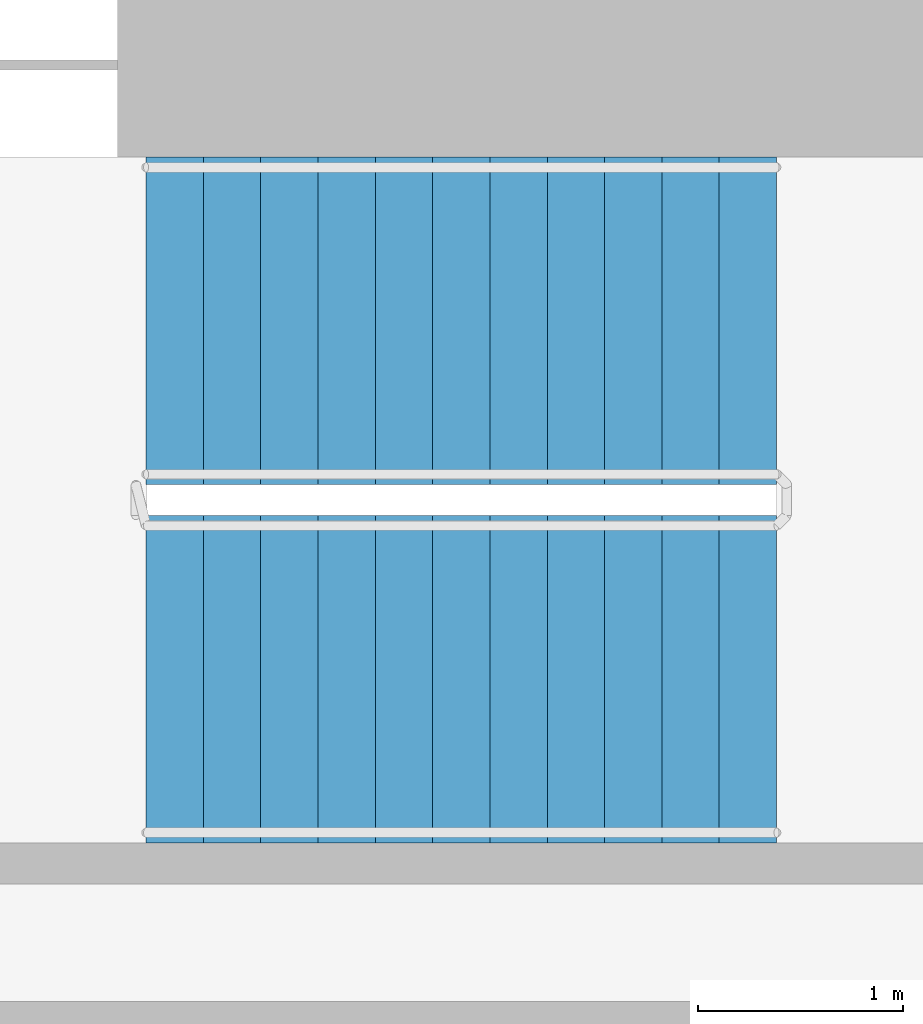
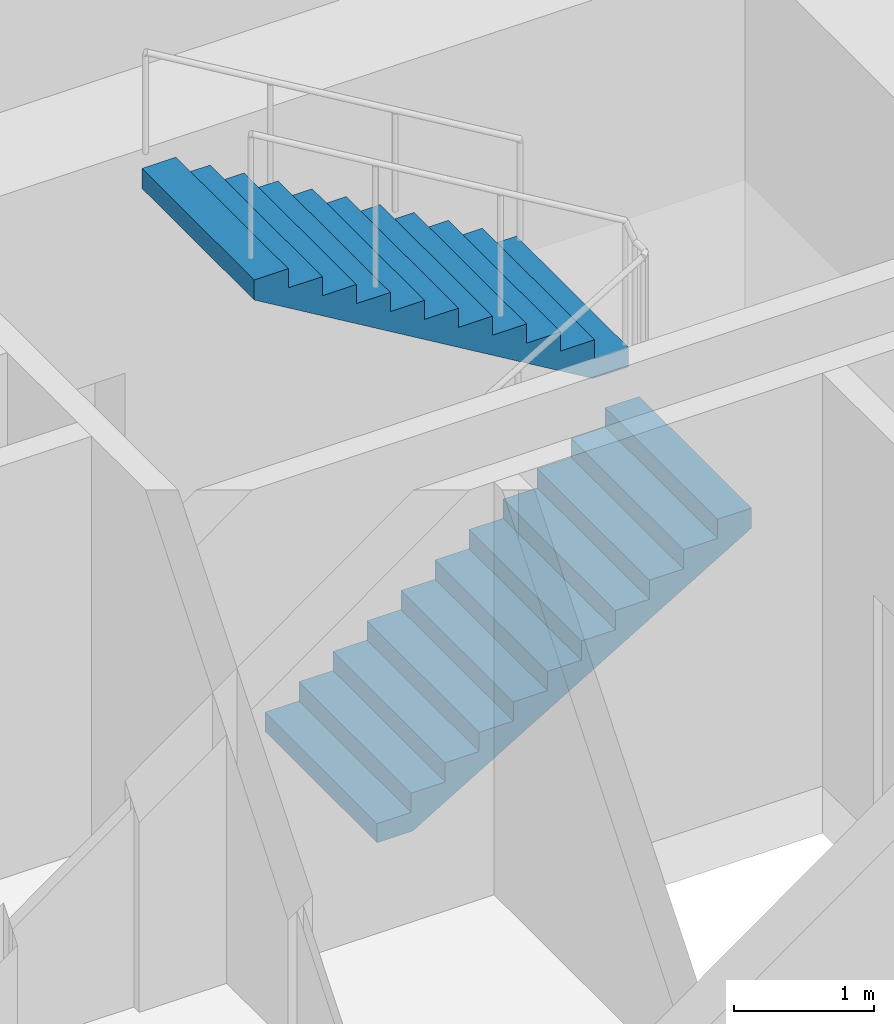
# One storey, part 31 of 34: 2 stair flights, 1 element without a shape of its own.
"""IFC4 building model written with IfcOpenShell, lengths in metres."""

from ifc_helpers import new_model, si_unit, direction, frame, origin, place, context, subcontext, project, spatial, polyline, outline, extrude, material, type_object, element, aggregate, save


model = new_model("IFC4")

# Units and contexts
model_context = context("Model", 3, precision=1e-05, world=origin(), true_north=direction((0.0, 1.0)))
body_context = subcontext(model_context, "Body", "Model", "MODEL_VIEW")
ifc_project = project(units=[si_unit("LENGTHUNIT", "METRE"), si_unit("AREAUNIT", "SQUARE_METRE"), si_unit("VOLUMEUNIT", "CUBIC_METRE"), si_unit("PLANEANGLEUNIT", "RADIAN"), si_unit("MASSUNIT", "GRAM", prefix="KILO")], contexts=[model_context])

# Site, building, storey
site_placement = place(None, origin())
site = spatial("IfcSite", under=ifc_project, at=site_placement, CompositionType="ELEMENT")
building_placement = place(site_placement, origin())
building = spatial("IfcBuilding", under=site, at=building_placement, Name="Orlundy Tower", CompositionType="ELEMENT")
storey_placement = place(building_placement, frame((0.0, 0.0, 98.199951171875)))
storey = spatial("IfcBuildingStorey", under=building, at=storey_placement, Name="L24", CompositionType="ELEMENT", Elevation=98.199951171875)

# Stair, stair flights
ifc_material_1 = material(Name="Concrete C50/60", Category="concrete")
stair_type = type_object("IfcStairType", Name="Exit Stair 24 risers", PredefinedType="HALF_TURN_STAIR", material=ifc_material_1)
stair_placement = place(storey_placement, origin())
stair = element("IfcStair", 1, at=stair_placement, inside=storey, type_object=stair_type, Name="L24 Exit Stair ST-E2", PredefinedType="HALF_TURN_STAIR")
ifc_material_2 = material(Name="Concrete C50/60", Category="concrete")
stair_flight_type = type_object("IfcStairFlightType", Name="Stair Flight 12 risers", PredefinedType="STRAIGHT", material=ifc_material_2)
stair_flight_1_placement = place(storey_placement, frame((13.139892578125, 8.550048828125, 0.0), z_axis=(0.0, 0.0, 1.0), x_axis=(1.0, 0.0, 0.0)))
stair_flight_1 = element("IfcStairFlight", 2, at=stair_flight_1_placement, type_object=stair_flight_type, Name="ST-E2 flight 1", NumberOfRisers=12, NumberOfTreads=11, PredefinedType="STRAIGHT", RiserHeight=0.166666667, TreadLength=0.28, context=body_context, shape_type="SweptSolid", body=[
    extrude(outline(polyline([(0.0, 0.0), (0.0, 0.166748046875), (0.280029296875, 0.166748046875), (0.280029296875, 0.333251953125), (0.56005859375, 0.333251953125), (0.56005859375, 0.5), (0.840087890625, 0.5), (0.840087890625, 0.666748046875), (1.1201171875, 0.666748046875), (1.1201171875, 0.833251953125), (1.39990234375, 0.833251953125), (1.39990234375, 1.0), (1.679931640625, 1.0), (1.679931640625, 1.166748046875), (1.9599609375, 1.166748046875), (1.9599609375, 1.333251953125), (2.239990234375, 1.333251953125), (2.239990234375, 1.5), (2.52001953125, 1.5), (2.52001953125, 1.666748046875), (2.800048828125, 1.666748046875), (2.800048828125, 1.833251953125), (3.080078125, 1.833251953125), (3.080078125, 2.0), (3.080078125, 1.658935546875), (0.29296875, 0.0), (0.0, 0.0)])), frame((0.0, 0.800048828125, 0.0), z_axis=(0.0, -1.0, 0.0), x_axis=(1.0, 0.0, 0.0)), (0.0, 0.0, 1.0), 1.60009765625),
])
stair_flight_2_placement = place(storey_placement, frame((16.219970703125, 10.300048828125, 2.0), z_axis=(0.0, 0.0, 1.0), x_axis=(-1.0, 0.0, 0.0)))
stair_flight_2 = element("IfcStairFlight", 3, at=stair_flight_2_placement, type_object=stair_flight_type, Name="ST-E2 flight 2", NumberOfRisers=12, NumberOfTreads=11, PredefinedType="STRAIGHT", RiserHeight=0.166666667, TreadLength=0.28, context=body_context, shape_type="SweptSolid", body=[
    extrude(outline(polyline([(0.0, 0.0), (0.0, 0.166748046875), (0.280029296875, 0.166748046875), (0.280029296875, 0.333251953125), (0.56005859375, 0.333251953125), (0.56005859375, 0.5), (0.840087890625, 0.5), (0.840087890625, 0.666748046875), (1.1201171875, 0.666748046875), (1.1201171875, 0.833251953125), (1.39990234375, 0.833251953125), (1.39990234375, 1.0), (1.679931640625, 1.0), (1.679931640625, 1.166748046875), (1.9599609375, 1.166748046875), (1.9599609375, 1.333251953125), (2.239990234375, 1.333251953125), (2.239990234375, 1.5), (2.52001953125, 1.5), (2.52001953125, 1.666748046875), (2.800048828125, 1.666748046875), (2.800048828125, 1.833251953125), (3.080078125, 1.833251953125), (3.080078125, 2.0), (3.080078125, 1.658935546875), (0.29296875, 0.0), (0.0, 0.0)])), frame((0.0, 0.800048828125, 0.0), z_axis=(0.0, -1.0, 0.0), x_axis=(1.0, 0.0, 0.0)), (0.0, 0.0, 1.0), 1.60009765625),
])
aggregate(stair, [stair_flight_1, stair_flight_2])

save(model, "model.ifc")
